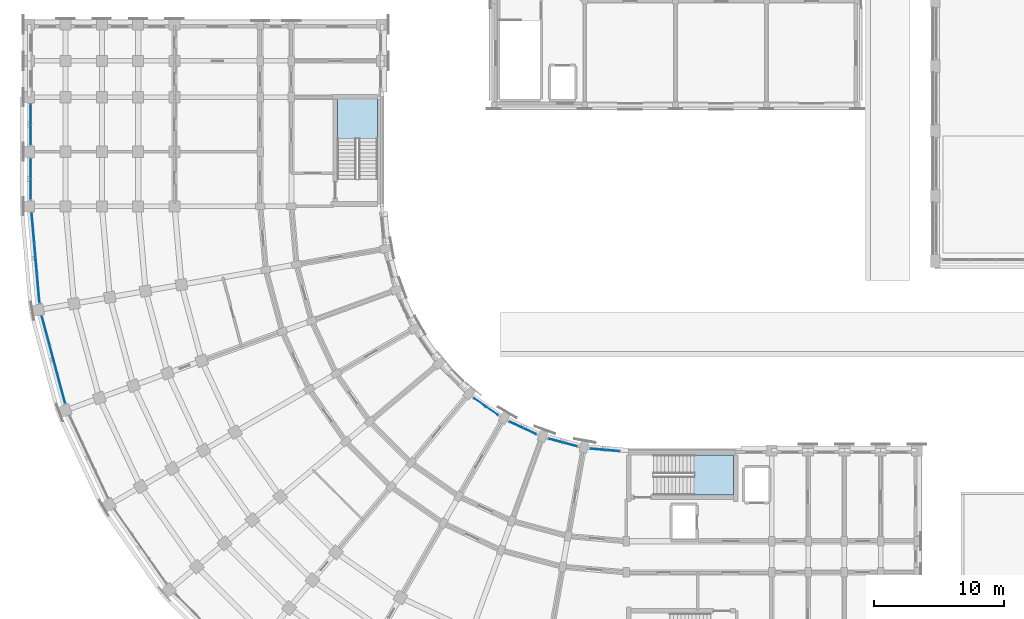
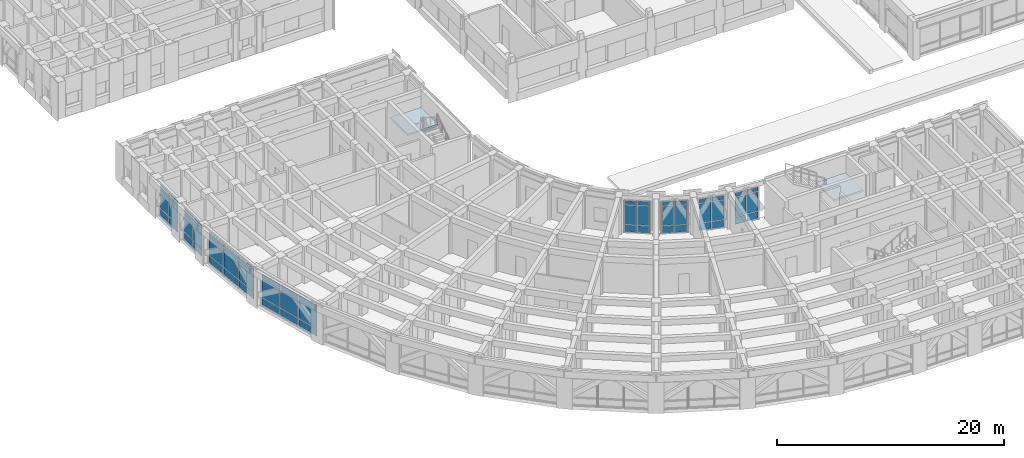
# One storey, part 43 of 97: 54 plates, 2 slabs, 10 elements without a shape of their own.
"""IFC4 building model written with IfcOpenShell, lengths in metres."""

from ifc_helpers import new_model, si_unit, direction, frame, origin, origin_2d, place, context, subcontext, project, spatial, polyline, rectangle, outline, extrude, material, layer, layer_set, type_object, element, aggregate, save


model = new_model("IFC4")

# Units and contexts
model_context = context("Model", 3, precision=1e-05, world=origin(), true_north=direction((0.0, 1.0)))
body_context = subcontext(model_context, "Body", "Model", "MODEL_VIEW")
ifc_project = project(units=[si_unit("LENGTHUNIT", "METRE"), si_unit("AREAUNIT", "SQUARE_METRE"), si_unit("VOLUMEUNIT", "CUBIC_METRE"), si_unit("PLANEANGLEUNIT", "RADIAN"), si_unit("MASSUNIT", "GRAM", prefix="KILO")], contexts=[model_context])

# Site, building, storey
site_placement = place(None, origin())
site = spatial("IfcSite", under=ifc_project, at=site_placement, CompositionType="ELEMENT")
building_placement = place(site_placement, origin())
building = spatial("IfcBuilding", under=site, at=building_placement, Name="Kiranvali Square Residences", CompositionType="ELEMENT")
storey_placement = place(building_placement, frame((0.0, 0.0, 4.5)))
storey = spatial("IfcBuildingStorey", under=building, at=storey_placement, Name="L01", CompositionType="ELEMENT", Elevation=4.5)

# Curtain wall, plates
ifc_material_1 = material(Name="Anodised bronze aluminium framing", Category="aluminium")
curtain_wall_type = type_object("IfcCurtainWallType", Name="CW-RET-SHOP", PredefinedType="USERDEFINED", material=ifc_material_1)
curtain_wall_1_placement = place(storey_placement, origin())
curtain_wall_1 = element("IfcCurtainWall", 1, at=curtain_wall_1_placement, inside=storey, type_object=curtain_wall_type, Name="Block C L01 rounded-corner arcade curtain wall 8", ObjectType="CURTAIN WALL", PredefinedType="USERDEFINED")
ifc_material_2 = material(Name="Solar-control low-e double glazing", Category="glass")
ifc_layer_1 = layer(ifc_material_2, 0.028076171875)
ifc_layer_set_1 = layer_set([ifc_layer_1], Name="Solar-control low-e double glazing")
plate_type_1 = type_object("IfcPlateType", Name="PLT-CW-GLZ", PredefinedType="CURTAIN_PANEL", material=ifc_layer_set_1)
plate_1_placement = place(storey_placement, frame((4.681640625, 34.137939453125, 0.889892578125), z_axis=(0.0, 0.0, 1.0), x_axis=(-0.258819045103, 0.965925826289, 0.0)))
plate_1 = element("IfcPlate", 2, at=plate_1_placement, type_object=plate_type_1, Name="CW-C-L01-CRV-07 glazed panel 1.2", PredefinedType="CURTAIN_PANEL", context=body_context, shape_type="SweptSolid", body=[
    extrude(rectangle(XDim=2.239501953125, YDim=0.028076171875, at=origin_2d()), origin(), (0.0, 0.0, 1.0), 2.0),
])
plate_2_placement = place(storey_placement, frame((4.681640625, 34.137939453125, 2.97021484375), z_axis=(0.0, 0.0, 1.0), x_axis=(-0.258819045103, 0.965925826289, 0.0)))
plate_2 = element("IfcPlate", 3, at=plate_2_placement, type_object=plate_type_1, Name="CW-C-L01-CRV-07 glazed panel 1.3", PredefinedType="CURTAIN_PANEL", context=body_context, shape_type="SweptSolid", body=[
    extrude(rectangle(XDim=2.239501953125, YDim=0.028076171875, at=origin_2d()), origin(), (0.0, 0.0, 1.0), 0.429931640625),
])
plate_3_placement = place(storey_placement, frame((4.081298828125, 36.37841796875, 0.889892578125), z_axis=(0.0, 0.0, 1.0), x_axis=(-0.258819045103, 0.965925826289, 0.0)))
plate_3 = element("IfcPlate", 4, at=plate_3_placement, type_object=plate_type_1, Name="CW-C-L01-CRV-07 glazed panel 2.2", PredefinedType="CURTAIN_PANEL", context=body_context, shape_type="SweptSolid", body=[
    extrude(rectangle(XDim=2.239501953125, YDim=0.028076171875, at=origin_2d()), origin(), (0.0, 0.0, 1.0), 2.0),
])
plate_4_placement = place(storey_placement, frame((4.081298828125, 36.37841796875, 2.97021484375), z_axis=(0.0, 0.0, 1.0), x_axis=(-0.258819045103, 0.965925826289, 0.0)))
plate_4 = element("IfcPlate", 5, at=plate_4_placement, type_object=plate_type_1, Name="CW-C-L01-CRV-07 glazed panel 2.3", PredefinedType="CURTAIN_PANEL", context=body_context, shape_type="SweptSolid", body=[
    extrude(rectangle(XDim=2.239501953125, YDim=0.028076171875, at=origin_2d()), origin(), (0.0, 0.0, 1.0), 0.429931640625),
])
plate_5_placement = place(storey_placement, frame((3.48095703125, 38.618896484375, 0.889892578125), z_axis=(0.0, 0.0, 1.0), x_axis=(-0.258819045103, 0.965925826289, 0.0)))
plate_5 = element("IfcPlate", 6, at=plate_5_placement, type_object=plate_type_1, Name="CW-C-L01-CRV-07 glazed panel 3.2", PredefinedType="CURTAIN_PANEL", context=body_context, shape_type="SweptSolid", body=[
    extrude(rectangle(XDim=2.239501953125, YDim=0.028076171875, at=origin_2d()), origin(), (0.0, 0.0, 1.0), 2.0),
])
plate_6_placement = place(storey_placement, frame((3.48095703125, 38.618896484375, 2.97021484375), z_axis=(0.0, 0.0, 1.0), x_axis=(-0.258819045103, 0.965925826289, 0.0)))
plate_6 = element("IfcPlate", 7, at=plate_6_placement, type_object=plate_type_1, Name="CW-C-L01-CRV-07 glazed panel 3.3", PredefinedType="CURTAIN_PANEL", context=body_context, shape_type="SweptSolid", body=[
    extrude(rectangle(XDim=2.239501953125, YDim=0.028076171875, at=origin_2d()), origin(), (0.0, 0.0, 1.0), 0.429931640625),
])

curtain_wall_2_placement = place(storey_placement, origin())
curtain_wall_2 = element("IfcCurtainWall", 8, at=curtain_wall_2_placement, inside=storey, type_object=curtain_wall_type, Name="Block C L01 rounded-corner arcade curtain wall 9", ObjectType="CURTAIN WALL", PredefinedType="USERDEFINED")
plate_7_placement = place(storey_placement, frame((2.90087890625, 41.908447265625, 0.889892578125), z_axis=(0.0, 0.0, 1.0), x_axis=(-0.087155742748, 0.996194698092, 0.0)))
plate_7 = element("IfcPlate", 9, at=plate_7_placement, type_object=plate_type_1, Name="CW-C-L01-CRV-08 glazed panel 1.2", PredefinedType="CURTAIN_PANEL", context=body_context, shape_type="SweptSolid", body=[
    extrude(rectangle(XDim=2.239501953125, YDim=0.028076171875, at=origin_2d()), origin(), (0.0, 0.0, 1.0), 2.0),
])
plate_8_placement = place(storey_placement, frame((2.90087890625, 41.908447265625, 2.97021484375), z_axis=(0.0, 0.0, 1.0), x_axis=(-0.087155742748, 0.996194698092, 0.0)))
plate_8 = element("IfcPlate", 10, at=plate_8_placement, type_object=plate_type_1, Name="CW-C-L01-CRV-08 glazed panel 1.3", PredefinedType="CURTAIN_PANEL", context=body_context, shape_type="SweptSolid", body=[
    extrude(rectangle(XDim=2.239501953125, YDim=0.028076171875, at=origin_2d()), origin(), (0.0, 0.0, 1.0), 0.429931640625),
])
plate_9_placement = place(storey_placement, frame((2.69873046875, 44.21923828125, 0.889892578125), z_axis=(0.0, 0.0, 1.0), x_axis=(-0.087155742748, 0.996194698092, 0.0)))
plate_9 = element("IfcPlate", 11, at=plate_9_placement, type_object=plate_type_1, Name="CW-C-L01-CRV-08 glazed panel 2.2", PredefinedType="CURTAIN_PANEL", context=body_context, shape_type="SweptSolid", body=[
    extrude(rectangle(XDim=2.239501953125, YDim=0.028076171875, at=origin_2d()), origin(), (0.0, 0.0, 1.0), 2.0),
])
plate_10_placement = place(storey_placement, frame((2.69873046875, 44.21923828125, 2.97021484375), z_axis=(0.0, 0.0, 1.0), x_axis=(-0.087155742748, 0.996194698092, 0.0)))
plate_10 = element("IfcPlate", 12, at=plate_10_placement, type_object=plate_type_1, Name="CW-C-L01-CRV-08 glazed panel 2.3", PredefinedType="CURTAIN_PANEL", context=body_context, shape_type="SweptSolid", body=[
    extrude(rectangle(XDim=2.239501953125, YDim=0.028076171875, at=origin_2d()), origin(), (0.0, 0.0, 1.0), 0.429931640625),
])
plate_11_placement = place(storey_placement, frame((2.49658203125, 46.52978515625, 0.889892578125), z_axis=(0.0, 0.0, 1.0), x_axis=(-0.087155742748, 0.996194698092, 0.0)))
plate_11 = element("IfcPlate", 13, at=plate_11_placement, type_object=plate_type_1, Name="CW-C-L01-CRV-08 glazed panel 3.2", PredefinedType="CURTAIN_PANEL", context=body_context, shape_type="SweptSolid", body=[
    extrude(rectangle(XDim=2.239501953125, YDim=0.028076171875, at=origin_2d()), origin(), (0.0, 0.0, 1.0), 2.0),
])
plate_12_placement = place(storey_placement, frame((2.49658203125, 46.52978515625, 2.97021484375), z_axis=(0.0, 0.0, 1.0), x_axis=(-0.087155742748, 0.996194698092, 0.0)))
plate_12 = element("IfcPlate", 14, at=plate_12_placement, type_object=plate_type_1, Name="CW-C-L01-CRV-08 glazed panel 3.3", PredefinedType="CURTAIN_PANEL", context=body_context, shape_type="SweptSolid", body=[
    extrude(rectangle(XDim=2.239501953125, YDim=0.028076171875, at=origin_2d()), origin(), (0.0, 0.0, 1.0), 0.429931640625),
])

curtain_wall_3_placement = place(storey_placement, origin())
curtain_wall_3 = element("IfcCurtainWall", 15, at=curtain_wall_3_placement, inside=storey, type_object=curtain_wall_type, Name="Block C L01 garden foyer curtain wall 1", ObjectType="CURTAIN WALL", PredefinedType="USERDEFINED")
plate_13_placement = place(storey_placement, frame((47.124267578125, 29.37353515625, 0.89013671875), z_axis=(0.0, 0.0, 1.0), x_axis=(-0.996194698092, 0.087155742748, 0.0)))
plate_13 = element("IfcPlate", 16, at=plate_13_placement, type_object=plate_type_1, Name="CW-C-L01-GDN-00 glazed panel 1.2", PredefinedType="CURTAIN_PANEL", context=body_context, shape_type="SweptSolid", body=[
    extrude(rectangle(XDim=1.05859375, YDim=0.028076171875, at=origin_2d()), origin(), (0.0, 0.0, 1.0), 2.050048828125),
])
plate_14_placement = place(storey_placement, frame((47.124267578125, 29.37353515625, 3.02001953125), z_axis=(0.0, 0.0, 1.0), x_axis=(-0.996194698092, 0.087155742748, 0.0)))
plate_14 = element("IfcPlate", 17, at=plate_14_placement, type_object=plate_type_1, Name="CW-C-L01-GDN-00 glazed panel 1.3", PredefinedType="CURTAIN_PANEL", context=body_context, shape_type="SweptSolid", body=[
    extrude(rectangle(XDim=1.05859375, YDim=0.028076171875, at=origin_2d()), origin(), (0.0, 0.0, 1.0), 0.429931640625),
])
plate_15_placement = place(storey_placement, frame((45.990234375, 29.472900390625, 0.89013671875), z_axis=(0.0, 0.0, 1.0), x_axis=(-0.996194698092, 0.087155742748, 0.0)))
plate_15 = element("IfcPlate", 18, at=plate_15_placement, type_object=plate_type_1, Name="CW-C-L01-GDN-00 glazed panel 2.2", PredefinedType="CURTAIN_PANEL", context=body_context, shape_type="SweptSolid", body=[
    extrude(rectangle(XDim=1.05859375, YDim=0.028076171875, at=origin_2d()), origin(), (0.0, 0.0, 1.0), 2.050048828125),
])
plate_16_placement = place(storey_placement, frame((45.990234375, 29.472900390625, 3.02001953125), z_axis=(0.0, 0.0, 1.0), x_axis=(-0.996194698092, 0.087155742748, 0.0)))
plate_16 = element("IfcPlate", 19, at=plate_16_placement, type_object=plate_type_1, Name="CW-C-L01-GDN-00 glazed panel 2.3", PredefinedType="CURTAIN_PANEL", context=body_context, shape_type="SweptSolid", body=[
    extrude(rectangle(XDim=1.05859375, YDim=0.028076171875, at=origin_2d()), origin(), (0.0, 0.0, 1.0), 0.429931640625),
])

curtain_wall_4_placement = place(storey_placement, origin())
curtain_wall_4 = element("IfcCurtainWall", 20, at=curtain_wall_4_placement, inside=storey, type_object=curtain_wall_type, Name="Block C L01 garden foyer curtain wall 2", ObjectType="CURTAIN WALL", PredefinedType="USERDEFINED")
plate_17_placement = place(storey_placement, frame((43.87158203125, 29.846435546875, 0.89013671875), z_axis=(0.0, 0.0, 1.0), x_axis=(-0.965925826289, 0.258819045103, 0.0)))
plate_17 = element("IfcPlate", 21, at=plate_17_placement, type_object=plate_type_1, Name="CW-C-L01-GDN-01 glazed panel 1.2", PredefinedType="CURTAIN_PANEL", context=body_context, shape_type="SweptSolid", body=[
    extrude(rectangle(XDim=1.05859375, YDim=0.028076171875, at=origin_2d()), origin(), (0.0, 0.0, 1.0), 2.050048828125),
])
plate_18_placement = place(storey_placement, frame((43.87158203125, 29.846435546875, 3.02001953125), z_axis=(0.0, 0.0, 1.0), x_axis=(-0.965925826289, 0.258819045103, 0.0)))
plate_18 = element("IfcPlate", 22, at=plate_18_placement, type_object=plate_type_1, Name="CW-C-L01-GDN-01 glazed panel 1.3", PredefinedType="CURTAIN_PANEL", context=body_context, shape_type="SweptSolid", body=[
    extrude(rectangle(XDim=1.05859375, YDim=0.028076171875, at=origin_2d()), origin(), (0.0, 0.0, 1.0), 0.429931640625),
])
plate_19_placement = place(storey_placement, frame((42.771728515625, 30.14111328125, 0.89013671875), z_axis=(0.0, 0.0, 1.0), x_axis=(-0.965925826289, 0.258819045103, 0.0)))
plate_19 = element("IfcPlate", 23, at=plate_19_placement, type_object=plate_type_1, Name="CW-C-L01-GDN-01 glazed panel 2.2", PredefinedType="CURTAIN_PANEL", context=body_context, shape_type="SweptSolid", body=[
    extrude(rectangle(XDim=1.05859375, YDim=0.028076171875, at=origin_2d()), origin(), (0.0, 0.0, 1.0), 2.050048828125),
])
plate_20_placement = place(storey_placement, frame((42.771728515625, 30.14111328125, 3.02001953125), z_axis=(0.0, 0.0, 1.0), x_axis=(-0.965925826289, 0.258819045103, 0.0)))
plate_20 = element("IfcPlate", 24, at=plate_20_placement, type_object=plate_type_1, Name="CW-C-L01-GDN-01 glazed panel 2.3", PredefinedType="CURTAIN_PANEL", context=body_context, shape_type="SweptSolid", body=[
    extrude(rectangle(XDim=1.05859375, YDim=0.028076171875, at=origin_2d()), origin(), (0.0, 0.0, 1.0), 0.429931640625),
])

curtain_wall_5_placement = place(storey_placement, origin())
curtain_wall_5 = element("IfcCurtainWall", 25, at=curtain_wall_5_placement, inside=storey, type_object=curtain_wall_type, Name="Block C L01 garden foyer curtain wall 3", ObjectType="CURTAIN WALL", PredefinedType="USERDEFINED")
plate_21_placement = place(storey_placement, frame((40.750244140625, 30.876953125, 0.89013671875), z_axis=(0.0, 0.0, 1.0), x_axis=(-0.906307787037, 0.422618261741, 0.0)))
plate_21 = element("IfcPlate", 26, at=plate_21_placement, type_object=plate_type_1, Name="CW-C-L01-GDN-02 glazed panel 1.2", PredefinedType="CURTAIN_PANEL", context=body_context, shape_type="SweptSolid", body=[
    extrude(rectangle(XDim=1.05859375, YDim=0.028076171875, at=origin_2d()), origin(), (0.0, 0.0, 1.0), 2.050048828125),
])
plate_22_placement = place(storey_placement, frame((40.750244140625, 30.876953125, 3.02001953125), z_axis=(0.0, 0.0, 1.0), x_axis=(-0.906307787037, 0.422618261741, 0.0)))
plate_22 = element("IfcPlate", 27, at=plate_22_placement, type_object=plate_type_1, Name="CW-C-L01-GDN-02 glazed panel 1.3", PredefinedType="CURTAIN_PANEL", context=body_context, shape_type="SweptSolid", body=[
    extrude(rectangle(XDim=1.05859375, YDim=0.028076171875, at=origin_2d()), origin(), (0.0, 0.0, 1.0), 0.429931640625),
])
plate_23_placement = place(storey_placement, frame((39.71826171875, 31.358154296875, 0.89013671875), z_axis=(0.0, 0.0, 1.0), x_axis=(-0.906307787037, 0.422618261741, 0.0)))
plate_23 = element("IfcPlate", 28, at=plate_23_placement, type_object=plate_type_1, Name="CW-C-L01-GDN-02 glazed panel 2.2", PredefinedType="CURTAIN_PANEL", context=body_context, shape_type="SweptSolid", body=[
    extrude(rectangle(XDim=1.05859375, YDim=0.028076171875, at=origin_2d()), origin(), (0.0, 0.0, 1.0), 2.050048828125),
])
plate_24_placement = place(storey_placement, frame((39.71826171875, 31.358154296875, 3.02001953125), z_axis=(0.0, 0.0, 1.0), x_axis=(-0.906307787037, 0.422618261741, 0.0)))
plate_24 = element("IfcPlate", 29, at=plate_24_placement, type_object=plate_type_1, Name="CW-C-L01-GDN-02 glazed panel 2.3", PredefinedType="CURTAIN_PANEL", context=body_context, shape_type="SweptSolid", body=[
    extrude(rectangle(XDim=1.05859375, YDim=0.028076171875, at=origin_2d()), origin(), (0.0, 0.0, 1.0), 0.429931640625),
])

curtain_wall_6_placement = place(storey_placement, origin())
curtain_wall_6 = element("IfcCurtainWall", 30, at=curtain_wall_6_placement, inside=storey, type_object=curtain_wall_type, Name="Block C L01 garden foyer curtain wall 4", ObjectType="CURTAIN WALL", PredefinedType="USERDEFINED")
plate_25_placement = place(storey_placement, frame((37.855224609375, 32.433837890625, 0.89013671875), z_axis=(0.0, 0.0, 1.0), x_axis=(-0.819152044289, 0.573576436351, 0.0)))
plate_25 = element("IfcPlate", 31, at=plate_25_placement, type_object=plate_type_1, Name="CW-C-L01-GDN-03 glazed panel 1.2", PredefinedType="CURTAIN_PANEL", context=body_context, shape_type="SweptSolid", body=[
    extrude(rectangle(XDim=1.05859375, YDim=0.028076171875, at=origin_2d()), origin(), (0.0, 0.0, 1.0), 2.050048828125),
])
plate_26_placement = place(storey_placement, frame((37.855224609375, 32.433837890625, 3.02001953125), z_axis=(0.0, 0.0, 1.0), x_axis=(-0.819152044289, 0.573576436351, 0.0)))
plate_26 = element("IfcPlate", 32, at=plate_26_placement, type_object=plate_type_1, Name="CW-C-L01-GDN-03 glazed panel 1.3", PredefinedType="CURTAIN_PANEL", context=body_context, shape_type="SweptSolid", body=[
    extrude(rectangle(XDim=1.05859375, YDim=0.028076171875, at=origin_2d()), origin(), (0.0, 0.0, 1.0), 0.429931640625),
])
plate_27_placement = place(storey_placement, frame((36.922607421875, 33.086669921875, 0.89013671875), z_axis=(0.0, 0.0, 1.0), x_axis=(-0.819152044289, 0.573576436351, 0.0)))
plate_27 = element("IfcPlate", 33, at=plate_27_placement, type_object=plate_type_1, Name="CW-C-L01-GDN-03 glazed panel 2.2", PredefinedType="CURTAIN_PANEL", context=body_context, shape_type="SweptSolid", body=[
    extrude(rectangle(XDim=1.05859375, YDim=0.028076171875, at=origin_2d()), origin(), (0.0, 0.0, 1.0), 2.050048828125),
])
plate_28_placement = place(storey_placement, frame((36.922607421875, 33.086669921875, 3.02001953125), z_axis=(0.0, 0.0, 1.0), x_axis=(-0.819152044289, 0.573576436351, 0.0)))
plate_28 = element("IfcPlate", 34, at=plate_28_placement, type_object=plate_type_1, Name="CW-C-L01-GDN-03 glazed panel 2.3", PredefinedType="CURTAIN_PANEL", context=body_context, shape_type="SweptSolid", body=[
    extrude(rectangle(XDim=1.05859375, YDim=0.028076171875, at=origin_2d()), origin(), (0.0, 0.0, 1.0), 0.429931640625),
])

curtain_wall_7_placement = place(storey_placement, origin())
curtain_wall_7 = element("IfcCurtainWall", 35, at=curtain_wall_7_placement, inside=storey, type_object=curtain_wall_type, Name="L01 curtain wall CW-C-L01-A2-0", ObjectType="CURTAIN WALL", PredefinedType="USERDEFINED")
plate_29_placement = place(storey_placement, frame((2.320068359375, 49.514892578125, 0.889892578125), z_axis=(0.0, 0.0, 1.0), x_axis=(0.0, 1.0, 0.0)))
plate_29 = element("IfcPlate", 36, at=plate_29_placement, type_object=plate_type_1, Name="CW-C-L01-A2-0 glazed panel 1.2", PredefinedType="CURTAIN_PANEL", context=body_context, shape_type="SweptSolid", body=[
    extrude(rectangle(XDim=1.489990234375, YDim=0.028076171875, at=origin_2d()), origin(), (0.0, 0.0, 1.0), 2.0),
])
plate_30_placement = place(storey_placement, frame((2.320068359375, 49.514892578125, 2.97021484375), z_axis=(0.0, 0.0, 1.0), x_axis=(0.0, 1.0, 0.0)))
plate_30 = element("IfcPlate", 37, at=plate_30_placement, type_object=plate_type_1, Name="CW-C-L01-A2-0 glazed panel 1.3", PredefinedType="CURTAIN_PANEL", context=body_context, shape_type="SweptSolid", body=[
    extrude(rectangle(XDim=1.489990234375, YDim=0.028076171875, at=origin_2d()), origin(), (0.0, 0.0, 1.0), 0.429931640625),
])
plate_31_placement = place(storey_placement, frame((2.320068359375, 51.0849609375, 0.889892578125), z_axis=(0.0, 0.0, 1.0), x_axis=(0.0, 1.0, 0.0)))
plate_31 = element("IfcPlate", 38, at=plate_31_placement, type_object=plate_type_1, Name="CW-C-L01-A2-0 glazed panel 2.2", PredefinedType="CURTAIN_PANEL", context=body_context, shape_type="SweptSolid", body=[
    extrude(rectangle(XDim=1.489990234375, YDim=0.028076171875, at=origin_2d()), origin(), (0.0, 0.0, 1.0), 2.0),
])
plate_32_placement = place(storey_placement, frame((2.320068359375, 51.0849609375, 2.97021484375), z_axis=(0.0, 0.0, 1.0), x_axis=(0.0, 1.0, 0.0)))
plate_32 = element("IfcPlate", 39, at=plate_32_placement, type_object=plate_type_1, Name="CW-C-L01-A2-0 glazed panel 2.3", PredefinedType="CURTAIN_PANEL", context=body_context, shape_type="SweptSolid", body=[
    extrude(rectangle(XDim=1.489990234375, YDim=0.028076171875, at=origin_2d()), origin(), (0.0, 0.0, 1.0), 0.429931640625),
])

curtain_wall_8_placement = place(storey_placement, origin())
curtain_wall_8 = element("IfcCurtainWall", 40, at=curtain_wall_8_placement, inside=storey, type_object=curtain_wall_type, Name="L01 curtain wall CW-C-L01-A2-1", ObjectType="CURTAIN WALL", PredefinedType="USERDEFINED")
plate_33_placement = place(storey_placement, frame((2.320068359375, 53.715087890625, 0.889892578125), z_axis=(0.0, 0.0, 1.0), x_axis=(0.0, 1.0, 0.0)))
plate_33 = element("IfcPlate", 41, at=plate_33_placement, type_object=plate_type_1, Name="CW-C-L01-A2-1 glazed panel 1.2", PredefinedType="CURTAIN_PANEL", context=body_context, shape_type="SweptSolid", body=[
    extrude(rectangle(XDim=1.489990234375, YDim=0.028076171875, at=origin_2d()), origin(), (0.0, 0.0, 1.0), 2.0),
])
plate_34_placement = place(storey_placement, frame((2.320068359375, 53.715087890625, 2.97021484375), z_axis=(0.0, 0.0, 1.0), x_axis=(0.0, 1.0, 0.0)))
plate_34 = element("IfcPlate", 42, at=plate_34_placement, type_object=plate_type_1, Name="CW-C-L01-A2-1 glazed panel 1.3", PredefinedType="CURTAIN_PANEL", context=body_context, shape_type="SweptSolid", body=[
    extrude(rectangle(XDim=1.489990234375, YDim=0.028076171875, at=origin_2d()), origin(), (0.0, 0.0, 1.0), 0.429931640625),
])
plate_35_placement = place(storey_placement, frame((2.320068359375, 55.284912109375, 0.889892578125), z_axis=(0.0, 0.0, 1.0), x_axis=(0.0, 1.0, 0.0)))
plate_35 = element("IfcPlate", 43, at=plate_35_placement, type_object=plate_type_1, Name="CW-C-L01-A2-1 glazed panel 2.2", PredefinedType="CURTAIN_PANEL", context=body_context, shape_type="SweptSolid", body=[
    extrude(rectangle(XDim=1.489990234375, YDim=0.028076171875, at=origin_2d()), origin(), (0.0, 0.0, 1.0), 2.0),
])
plate_36_placement = place(storey_placement, frame((2.320068359375, 55.284912109375, 2.97021484375), z_axis=(0.0, 0.0, 1.0), x_axis=(0.0, 1.0, 0.0)))
plate_36 = element("IfcPlate", 44, at=plate_36_placement, type_object=plate_type_1, Name="CW-C-L01-A2-1 glazed panel 2.3", PredefinedType="CURTAIN_PANEL", context=body_context, shape_type="SweptSolid", body=[
    extrude(rectangle(XDim=1.489990234375, YDim=0.028076171875, at=origin_2d()), origin(), (0.0, 0.0, 1.0), 0.429931640625),
])

# Plate
ifc_material_3 = material(Name="Honed Porbandar limestone ashlar facade cladding", Category="masonry")
ifc_layer_2 = layer(ifc_material_3, 0.02392578125)
ifc_layer_set_2 = layer_set([ifc_layer_2], Name="Honed Porbandar limestone ashlar facade cladding")
plate_type_2 = type_object("IfcPlateType", Name="PLT-CW-SPN", PredefinedType="SHEET", material=ifc_layer_set_2)
plate_37_placement = place(storey_placement, frame((4.681640625, 34.137939453125, 0.080078125), z_axis=(0.0, 0.0, 1.0), x_axis=(-0.258819045103, 0.965925826289, 0.0)))
plate_37 = element("IfcPlate", 45, at=plate_37_placement, type_object=plate_type_2, Name="CW-C-L01-CRV-07 spandrel panel 1.1", PredefinedType="SHEET", context=body_context, shape_type="SweptSolid", body=[
    extrude(rectangle(XDim=2.239501953125, YDim=0.02392578125, at=origin_2d()), origin(), (0.0, 0.0, 1.0), 0.72998046875),
])

plate_38_placement = place(storey_placement, frame((4.081298828125, 36.37841796875, 0.080078125), z_axis=(0.0, 0.0, 1.0), x_axis=(-0.258819045103, 0.965925826289, 0.0)))
plate_38 = element("IfcPlate", 46, at=plate_38_placement, type_object=plate_type_2, Name="CW-C-L01-CRV-07 spandrel panel 2.1", PredefinedType="SHEET", context=body_context, shape_type="SweptSolid", body=[
    extrude(rectangle(XDim=2.239501953125, YDim=0.02392578125, at=origin_2d()), origin(), (0.0, 0.0, 1.0), 0.72998046875),
])

plate_39_placement = place(storey_placement, frame((3.48095703125, 38.618896484375, 0.080078125), z_axis=(0.0, 0.0, 1.0), x_axis=(-0.258819045103, 0.965925826289, 0.0)))
plate_39 = element("IfcPlate", 47, at=plate_39_placement, type_object=plate_type_2, Name="CW-C-L01-CRV-07 spandrel panel 3.1", PredefinedType="SHEET", context=body_context, shape_type="SweptSolid", body=[
    extrude(rectangle(XDim=2.239501953125, YDim=0.02392578125, at=origin_2d()), origin(), (0.0, 0.0, 1.0), 0.72998046875),
])

aggregate(curtain_wall_1, [plate_37, plate_1, plate_2, plate_38, plate_3, plate_4, plate_39, plate_5, plate_6])

plate_40_placement = place(storey_placement, frame((2.90087890625, 41.908447265625, 0.080078125), z_axis=(0.0, 0.0, 1.0), x_axis=(-0.087155742748, 0.996194698092, 0.0)))
plate_40 = element("IfcPlate", 48, at=plate_40_placement, type_object=plate_type_2, Name="CW-C-L01-CRV-08 spandrel panel 1.1", PredefinedType="SHEET", context=body_context, shape_type="SweptSolid", body=[
    extrude(rectangle(XDim=2.239501953125, YDim=0.02392578125, at=origin_2d()), origin(), (0.0, 0.0, 1.0), 0.72998046875),
])

plate_41_placement = place(storey_placement, frame((2.69873046875, 44.21923828125, 0.080078125), z_axis=(0.0, 0.0, 1.0), x_axis=(-0.087155742748, 0.996194698092, 0.0)))
plate_41 = element("IfcPlate", 49, at=plate_41_placement, type_object=plate_type_2, Name="CW-C-L01-CRV-08 spandrel panel 2.1", PredefinedType="SHEET", context=body_context, shape_type="SweptSolid", body=[
    extrude(rectangle(XDim=2.239501953125, YDim=0.02392578125, at=origin_2d()), origin(), (0.0, 0.0, 1.0), 0.72998046875),
])

plate_42_placement = place(storey_placement, frame((2.49658203125, 46.52978515625, 0.080078125), z_axis=(0.0, 0.0, 1.0), x_axis=(-0.087155742748, 0.996194698092, 0.0)))
plate_42 = element("IfcPlate", 50, at=plate_42_placement, type_object=plate_type_2, Name="CW-C-L01-CRV-08 spandrel panel 3.1", PredefinedType="SHEET", context=body_context, shape_type="SweptSolid", body=[
    extrude(rectangle(XDim=2.239501953125, YDim=0.02392578125, at=origin_2d()), origin(), (0.0, 0.0, 1.0), 0.72998046875),
])

aggregate(curtain_wall_2, [plate_40, plate_7, plate_8, plate_41, plate_9, plate_10, plate_42, plate_11, plate_12])

plate_43_placement = place(storey_placement, frame((47.124267578125, 29.37353515625, 0.080078125), z_axis=(0.0, 0.0, 1.0), x_axis=(-0.996194698092, 0.087155742748, 0.0)))
plate_43 = element("IfcPlate", 51, at=plate_43_placement, type_object=plate_type_2, Name="CW-C-L01-GDN-00 spandrel panel 1.1", PredefinedType="SHEET", context=body_context, shape_type="SweptSolid", body=[
    extrude(rectangle(XDim=1.05859375, YDim=0.02392578125, at=origin_2d()), origin(), (0.0, 0.0, 1.0), 0.72998046875),
])

plate_44_placement = place(storey_placement, frame((45.990234375, 29.472900390625, 0.080078125), z_axis=(0.0, 0.0, 1.0), x_axis=(-0.996194698092, 0.087155742748, 0.0)))
plate_44 = element("IfcPlate", 52, at=plate_44_placement, type_object=plate_type_2, Name="CW-C-L01-GDN-00 spandrel panel 2.1", PredefinedType="SHEET", context=body_context, shape_type="SweptSolid", body=[
    extrude(rectangle(XDim=1.05859375, YDim=0.02392578125, at=origin_2d()), origin(), (0.0, 0.0, 1.0), 0.72998046875),
])

aggregate(curtain_wall_3, [plate_43, plate_13, plate_14, plate_44, plate_15, plate_16])

plate_45_placement = place(storey_placement, frame((43.87158203125, 29.846435546875, 0.080078125), z_axis=(0.0, 0.0, 1.0), x_axis=(-0.965925826289, 0.258819045103, 0.0)))
plate_45 = element("IfcPlate", 53, at=plate_45_placement, type_object=plate_type_2, Name="CW-C-L01-GDN-01 spandrel panel 1.1", PredefinedType="SHEET", context=body_context, shape_type="SweptSolid", body=[
    extrude(rectangle(XDim=1.05859375, YDim=0.02392578125, at=origin_2d()), origin(), (0.0, 0.0, 1.0), 0.72998046875),
])

plate_46_placement = place(storey_placement, frame((42.771728515625, 30.14111328125, 0.080078125), z_axis=(0.0, 0.0, 1.0), x_axis=(-0.965925826289, 0.258819045103, 0.0)))
plate_46 = element("IfcPlate", 54, at=plate_46_placement, type_object=plate_type_2, Name="CW-C-L01-GDN-01 spandrel panel 2.1", PredefinedType="SHEET", context=body_context, shape_type="SweptSolid", body=[
    extrude(rectangle(XDim=1.05859375, YDim=0.02392578125, at=origin_2d()), origin(), (0.0, 0.0, 1.0), 0.72998046875),
])

aggregate(curtain_wall_4, [plate_45, plate_17, plate_18, plate_46, plate_19, plate_20])

plate_47_placement = place(storey_placement, frame((40.750244140625, 30.876953125, 0.080078125), z_axis=(0.0, 0.0, 1.0), x_axis=(-0.906307787037, 0.422618261741, 0.0)))
plate_47 = element("IfcPlate", 55, at=plate_47_placement, type_object=plate_type_2, Name="CW-C-L01-GDN-02 spandrel panel 1.1", PredefinedType="SHEET", context=body_context, shape_type="SweptSolid", body=[
    extrude(rectangle(XDim=1.05859375, YDim=0.02392578125, at=origin_2d()), origin(), (0.0, 0.0, 1.0), 0.72998046875),
])

plate_48_placement = place(storey_placement, frame((39.71826171875, 31.358154296875, 0.080078125), z_axis=(0.0, 0.0, 1.0), x_axis=(-0.906307787037, 0.422618261741, 0.0)))
plate_48 = element("IfcPlate", 56, at=plate_48_placement, type_object=plate_type_2, Name="CW-C-L01-GDN-02 spandrel panel 2.1", PredefinedType="SHEET", context=body_context, shape_type="SweptSolid", body=[
    extrude(rectangle(XDim=1.05859375, YDim=0.02392578125, at=origin_2d()), origin(), (0.0, 0.0, 1.0), 0.72998046875),
])

aggregate(curtain_wall_5, [plate_47, plate_21, plate_22, plate_48, plate_23, plate_24])

plate_49_placement = place(storey_placement, frame((37.855224609375, 32.433837890625, 0.080078125), z_axis=(0.0, 0.0, 1.0), x_axis=(-0.819152044289, 0.573576436351, 0.0)))
plate_49 = element("IfcPlate", 57, at=plate_49_placement, type_object=plate_type_2, Name="CW-C-L01-GDN-03 spandrel panel 1.1", PredefinedType="SHEET", context=body_context, shape_type="SweptSolid", body=[
    extrude(rectangle(XDim=1.05859375, YDim=0.02392578125, at=origin_2d()), origin(), (0.0, 0.0, 1.0), 0.72998046875),
])

plate_50_placement = place(storey_placement, frame((36.922607421875, 33.086669921875, 0.080078125), z_axis=(0.0, 0.0, 1.0), x_axis=(-0.819152044289, 0.573576436351, 0.0)))
plate_50 = element("IfcPlate", 58, at=plate_50_placement, type_object=plate_type_2, Name="CW-C-L01-GDN-03 spandrel panel 2.1", PredefinedType="SHEET", context=body_context, shape_type="SweptSolid", body=[
    extrude(rectangle(XDim=1.05859375, YDim=0.02392578125, at=origin_2d()), origin(), (0.0, 0.0, 1.0), 0.72998046875),
])

aggregate(curtain_wall_6, [plate_49, plate_25, plate_26, plate_50, plate_27, plate_28])

plate_51_placement = place(storey_placement, frame((2.320068359375, 49.514892578125, 0.080078125), z_axis=(0.0, 0.0, 1.0), x_axis=(0.0, 1.0, 0.0)))
plate_51 = element("IfcPlate", 59, at=plate_51_placement, type_object=plate_type_2, Name="CW-C-L01-A2-0 spandrel panel 1.1", PredefinedType="SHEET", context=body_context, shape_type="SweptSolid", body=[
    extrude(rectangle(XDim=1.489990234375, YDim=0.02392578125, at=origin_2d()), origin(), (0.0, 0.0, 1.0), 0.72998046875),
])

plate_52_placement = place(storey_placement, frame((2.320068359375, 51.0849609375, 0.080078125), z_axis=(0.0, 0.0, 1.0), x_axis=(0.0, 1.0, 0.0)))
plate_52 = element("IfcPlate", 60, at=plate_52_placement, type_object=plate_type_2, Name="CW-C-L01-A2-0 spandrel panel 2.1", PredefinedType="SHEET", context=body_context, shape_type="SweptSolid", body=[
    extrude(rectangle(XDim=1.489990234375, YDim=0.02392578125, at=origin_2d()), origin(), (0.0, 0.0, 1.0), 0.72998046875),
])

aggregate(curtain_wall_7, [plate_51, plate_29, plate_30, plate_52, plate_31, plate_32])

plate_53_placement = place(storey_placement, frame((2.320068359375, 53.715087890625, 0.080078125), z_axis=(0.0, 0.0, 1.0), x_axis=(0.0, 1.0, 0.0)))
plate_53 = element("IfcPlate", 61, at=plate_53_placement, type_object=plate_type_2, Name="CW-C-L01-A2-1 spandrel panel 1.1", PredefinedType="SHEET", context=body_context, shape_type="SweptSolid", body=[
    extrude(rectangle(XDim=1.489990234375, YDim=0.02392578125, at=origin_2d()), origin(), (0.0, 0.0, 1.0), 0.72998046875),
])

plate_54_placement = place(storey_placement, frame((2.320068359375, 55.284912109375, 0.080078125), z_axis=(0.0, 0.0, 1.0), x_axis=(0.0, 1.0, 0.0)))
plate_54 = element("IfcPlate", 62, at=plate_54_placement, type_object=plate_type_2, Name="CW-C-L01-A2-1 spandrel panel 2.1", PredefinedType="SHEET", context=body_context, shape_type="SweptSolid", body=[
    extrude(rectangle(XDim=1.489990234375, YDim=0.02392578125, at=origin_2d()), origin(), (0.0, 0.0, 1.0), 0.72998046875),
])

aggregate(curtain_wall_8, [plate_53, plate_33, plate_34, plate_54, plate_35, plate_36])

# Stair, slab
ifc_material_4 = material(Name="Concrete M35 (35 MPa)", Category="concrete")
stair_type = type_object("IfcStairType", Name="ST-CORE-1700", PredefinedType="HALF_TURN_STAIR", material=ifc_material_4)
stair_1_placement = place(storey_placement, origin())
stair_1 = element("IfcStair", 63, at=stair_1_placement, inside=storey, type_object=stair_type, Name="L01 Block C Protected Exit Stair 2", PredefinedType="HALF_TURN_STAIR")
ifc_layer_3 = layer(ifc_material_4, 0.199951171875)
ifc_layer_set_3 = layer_set([ifc_layer_3], Name="Concrete M35 (35 MPa)")
slab_type = type_object("IfcSlabType", Name="SLB-LND-200", PredefinedType="LANDING", material=ifc_layer_set_3)
slab_1_placement = place(storey_placement, frame((0.0, 0.0, 1.89990234375)))
slab_1 = element("IfcSlab", 64, at=slab_1_placement, type_object=slab_type, Name="ST-C2 landing 1", PredefinedType="LANDING", context=body_context, shape_type="SweptSolid", body=[
    extrude(outline(polyline([(53.43505859375, 25.949951171875), (56.449951171875, 25.949951171875), (56.449951171875, 29.050048828125), (53.43505859375, 29.050048828125), (53.43505859375, 25.949951171875)])), origin(), (0.0, 0.0, 1.0), 0.2001953125),
])
aggregate(stair_1, [slab_1])

stair_2_placement = place(storey_placement, origin())
stair_2 = element("IfcStair", 65, at=stair_2_placement, inside=storey, type_object=stair_type, Name="L01 Block C Wing Protected Exit Stair 3", PredefinedType="HALF_TURN_STAIR")
slab_2_placement = place(storey_placement, frame((0.0, 0.0, 1.89990234375)))
slab_2 = element("IfcSlab", 66, at=slab_2_placement, type_object=slab_type, Name="ST-C3 landing 1", PredefinedType="LANDING", context=body_context, shape_type="SweptSolid", body=[
    extrude(outline(polyline([(29.050048828125, 53.43505859375), (29.050048828125, 56.449951171875), (25.949951171875, 56.449951171875), (25.949951171875, 53.43505859375), (29.050048828125, 53.43505859375)])), origin(), (0.0, 0.0, 1.0), 0.2001953125),
])
aggregate(stair_2, [slab_2])

save(model, "model.ifc")
